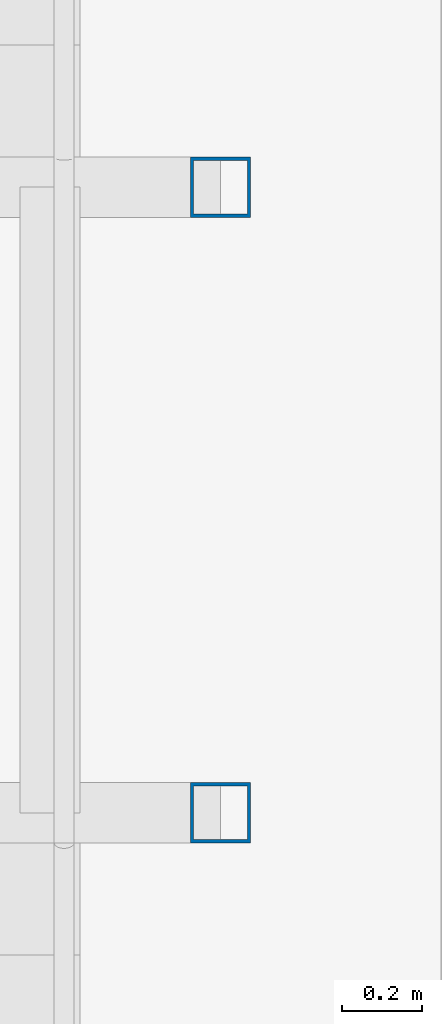
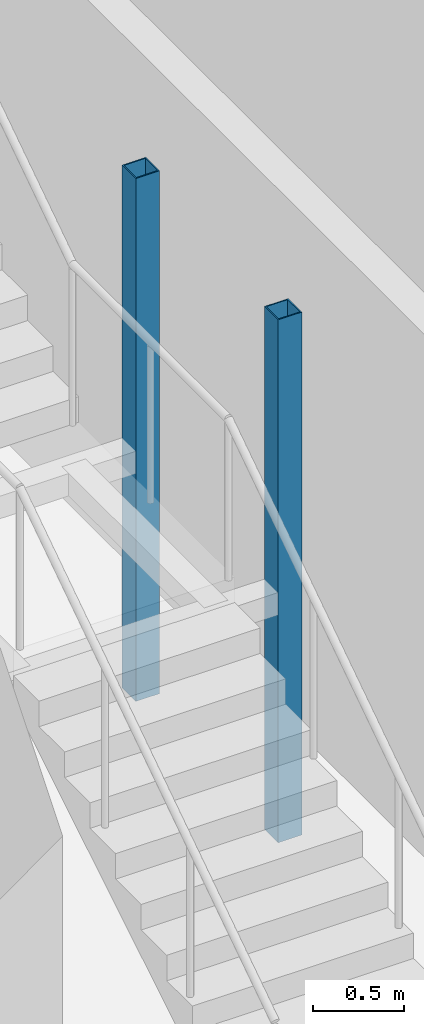
# One storey, part 2 of 28: 2 columns.
"""IFC4 building model written with IfcOpenShell, lengths in metres."""

from ifc_helpers import new_model, si_unit, direction, frame, origin, origin_2d, place, context, subcontext, project, spatial, hollow_rectangle, extrude, material, material_profile, profile_set, type_object, element, save


model = new_model("IFC4")

# Units and contexts
model_context = context("Model", 3, precision=1e-05, world=origin(), true_north=direction((0.0, 1.0)))
body_context = subcontext(model_context, "Body", "Model", "MODEL_VIEW")
ifc_project = project(units=[si_unit("LENGTHUNIT", "METRE"), si_unit("AREAUNIT", "SQUARE_METRE"), si_unit("VOLUMEUNIT", "CUBIC_METRE"), si_unit("PLANEANGLEUNIT", "RADIAN"), si_unit("MASSUNIT", "GRAM", prefix="KILO")], contexts=[model_context])

# Site, building, storey
site_placement = place(None, origin())
site = spatial("IfcSite", under=ifc_project, at=site_placement, CompositionType="ELEMENT")
building_placement = place(site_placement, origin())
building = spatial("IfcBuilding", under=site, at=building_placement, Name="Orbita Commons", CompositionType="ELEMENT")
storey_placement = place(building_placement, frame((0.0, 0.0, 216.550048828125)))
storey = spatial("IfcBuildingStorey", under=building, at=storey_placement, Name="L53", CompositionType="ELEMENT", Elevation=216.550048828125)

# Columns
ifc_material = material(Name="Steel ASTM A992", Category="steel")
ifc_material_profile = material_profile(ifc_material, hollow_rectangle(XDim=0.14990234375, YDim=0.14990234375, WallThickness=0.008056640625, at=origin_2d()), Name="SHS 150x150x8")
ifc_profile_set = profile_set([ifc_material_profile], Name="Steel ASTM A992")
column_type = type_object("IfcColumnType", Name="Landing post SHS 150x150x8", PredefinedType="COLUMN", material=ifc_profile_set)
for number, where, z_axis, x_axis, name in (
    (1, (14.949951171875, 37.52490234375, 0.0), (0.0, 0.0, 1.0), (1.0, 0.0, 0.0), "Neighbourhood stair L53 to L54 landing post 2"),
    (2, (14.949951171875, 39.0849609375, 0.0), (0.0, 0.0, 1.0), (1.0, 0.0, 0.0), "Neighbourhood stair L53 to L54 landing post 4"),
):
    element("IfcColumn", number, at=place(storey_placement, frame(where, z_axis=z_axis, x_axis=x_axis)), inside=storey, type_object=column_type, Name=name, PredefinedType="COLUMN", context=body_context, shape_type="SweptSolid", body=[
        extrude(hollow_rectangle(XDim=0.14990234375, YDim=0.14990234375, WallThickness=0.008056640625, at=origin_2d()), origin(), (0.0, 0.0, 1.0), 3.5),
    ])

save(model, "model.ifc")
